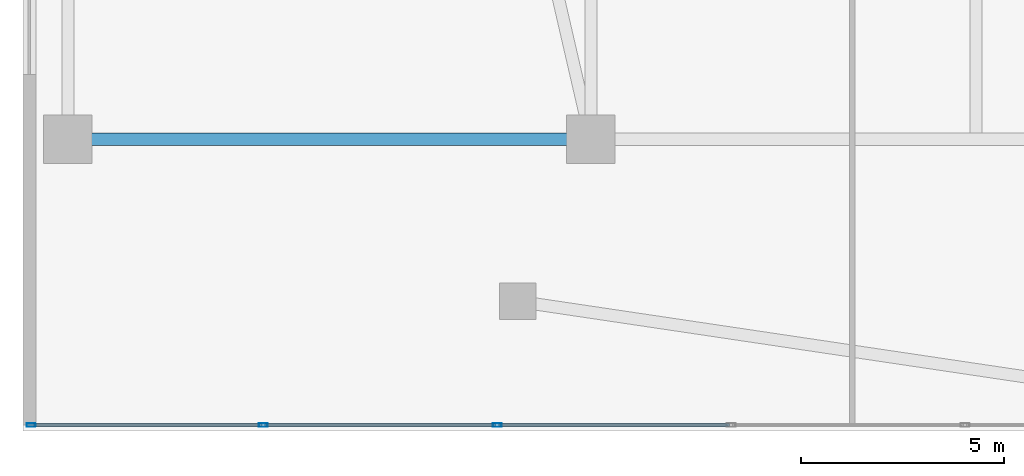
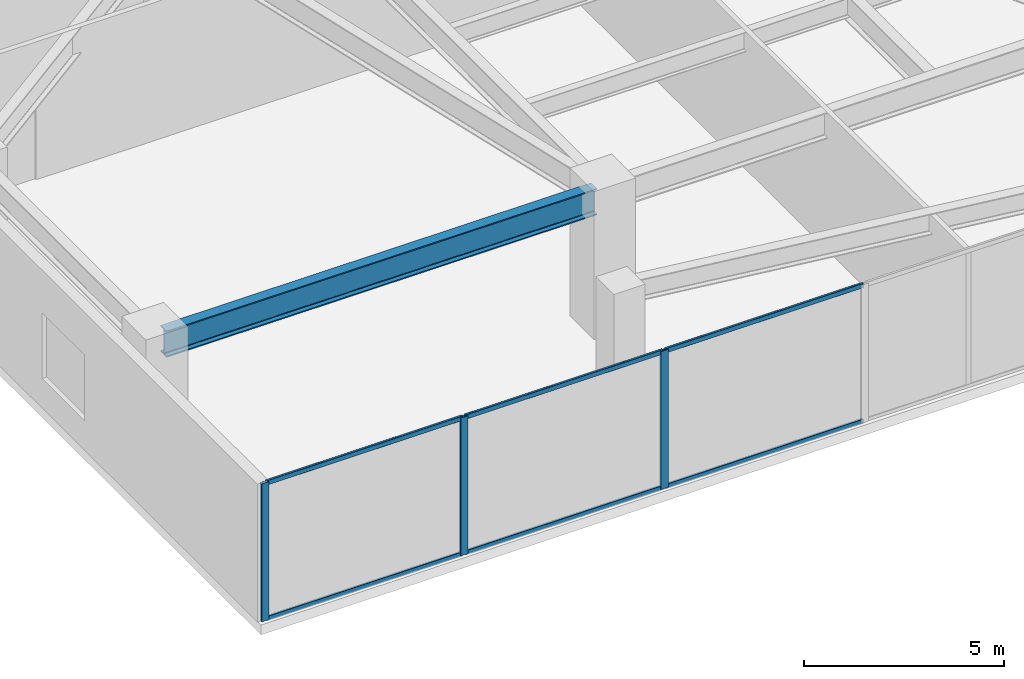
# One storey, part 2 of 27: 9 members, 1 beam, 1 element without a shape of its own.
"""IFC4 building model written with IfcOpenShell, lengths in metres."""

from ifc_helpers import new_model, si_unit, direction, frame, origin, origin_2d, place, context, subcontext, project, spatial, hollow_rectangle, i_section, extrude, material, layer, layer_set, material_profile, profile_set, type_object, element, aggregate, save


model = new_model("IFC4")

# Units and contexts
model_context = context("Model", 3, precision=1e-05, world=origin(), true_north=direction((0.0, 1.0)))
body_context = subcontext(model_context, "Body", "Model", "MODEL_VIEW")
ifc_project = project(units=[si_unit("LENGTHUNIT", "METRE"), si_unit("AREAUNIT", "SQUARE_METRE"), si_unit("VOLUMEUNIT", "CUBIC_METRE"), si_unit("PLANEANGLEUNIT", "RADIAN"), si_unit("MASSUNIT", "GRAM", prefix="KILO")], contexts=[model_context])

# Site, building, storey
site_placement = place(None, origin())
site = spatial("IfcSite", under=ifc_project, at=site_placement, CompositionType="ELEMENT")
building_placement = place(site_placement, origin())
building = spatial("IfcBuilding", under=site, at=building_placement, Name="Tarnavaz Court Tower", CompositionType="ELEMENT")
storey_placement = place(building_placement, frame((0.0, 0.0, 9.89990234375)))
storey = spatial("IfcBuildingStorey", under=building, at=storey_placement, Name="L02", CompositionType="ELEMENT", Elevation=9.89990234375)

# Beam
ifc_material_1 = material(Name="Steel S355", Category="steel")
ifc_material_profile_1 = material_profile(ifc_material_1, i_section(OverallWidth=0.300048828125, OverallDepth=0.800048828125, WebThickness=0.017578125, FlangeThickness=0.032958984375, FilletRadius=0.030029296875, at=origin_2d()), Name="HEB 800")
ifc_profile_set_1 = profile_set([ifc_material_profile_1], Name="Steel S355")
beam_type = type_object("IfcBeamType", Name="BM-G-HEB800", PredefinedType="USERDEFINED", material=ifc_profile_set_1)
beam_placement = place(storey_placement, frame((-27.64990234375, -22.800048828125, 3.800048828125), z_axis=(1.0, 0.0, 0.0), x_axis=(0.0, 1.0, 0.0)))
element("IfcBeam", 1, at=beam_placement, inside=storey, type_object=beam_type, Name="L02 Beam PM-PM-SW-PM-S1", ObjectType="GIRDER", PredefinedType="USERDEFINED", context=body_context, shape_type="SweptSolid", body=[
    extrude(i_section(OverallWidth=0.300048828125, OverallDepth=0.800048828125, WebThickness=0.017578125, FlangeThickness=0.032958984375, FilletRadius=0.030029296875, at=origin_2d()), origin(), (0.0, 0.0, 1.0), 12.39990234375),
])

# Curtain wall, members
ifc_material_2 = material(Name="Anodised Aluminium 6063-T6 and Solar Low-E Glazing", Category="aluminium")
ifc_layer = layer(ifc_material_2, 0.18994140625)
ifc_layer_set = layer_set([ifc_layer], Name="Anodised Aluminium 6063-T6 and Solar Low-E Glazing")
curtain_wall_type = type_object("IfcCurtainWallType", Name="CW-SYS-01", PredefinedType="NOTDEFINED", material=ifc_layer_set)
curtain_wall_placement = place(storey_placement, origin())
curtain_wall = element("IfcCurtainWall", 2, at=curtain_wall_placement, inside=storey, type_object=curtain_wall_type, Name="L02 Clinic South Curtain Wall 3", PredefinedType="NOTDEFINED")
ifc_material_3 = material(Name="Anodised Aluminium 6063-T6", Category="aluminium")
ifc_material_profile_2 = material_profile(ifc_material_3, hollow_rectangle(XDim=0.0849609375, YDim=0.219970703125, WallThickness=0.006103515625, InnerFilletRadius=0.006103515625, OuterFilletRadius=0.011962890625, at=origin_2d()), Name="ALU RHS 220X85X6")
ifc_profile_set_2 = profile_set([ifc_material_profile_2], Name="Anodised Aluminium 6063-T6")
member_type_1 = type_object("IfcMemberType", Name="CW-MUL-220", PredefinedType="MULLION", material=ifc_profile_set_2)
member_1_placement = place(storey_placement, frame((-17.31005859375, -29.85009765625, 0.0), z_axis=(0.0, 0.0, 1.0), x_axis=(0.0, -1.0, 0.0)))
member_1 = element("IfcMember", 3, at=member_1_placement, type_object=member_type_1, Name="CW mullion 9", PredefinedType="MULLION", context=body_context, shape_type="SweptSolid", body=[
    extrude(hollow_rectangle(XDim=0.0849609375, YDim=0.219970703125, WallThickness=0.006103515625, InnerFilletRadius=0.006103515625, OuterFilletRadius=0.011962890625, at=origin_2d()), origin(), (0.0, 0.0, 1.0), 4.2001953125),
])
member_2_placement = place(storey_placement, frame((-23.080078125, -29.85009765625, 0.0), z_axis=(0.0, 0.0, 1.0), x_axis=(0.0, -1.0, 0.0)))
member_2 = element("IfcMember", 4, at=member_2_placement, type_object=member_type_1, Name="CW mullion 10", PredefinedType="MULLION", context=body_context, shape_type="SweptSolid", body=[
    extrude(hollow_rectangle(XDim=0.0849609375, YDim=0.219970703125, WallThickness=0.006103515625, InnerFilletRadius=0.006103515625, OuterFilletRadius=0.011962890625, at=origin_2d()), origin(), (0.0, 0.0, 1.0), 4.2001953125),
])
member_3_placement = place(storey_placement, frame((-28.8076171875, -29.85009765625, 0.0), z_axis=(0.0, 0.0, 1.0), x_axis=(0.0, -1.0, 0.0)))
member_3 = element("IfcMember", 5, at=member_3_placement, type_object=member_type_1, Name="CW mullion 11", PredefinedType="MULLION", context=body_context, shape_type="SweptSolid", body=[
    extrude(hollow_rectangle(XDim=0.0849609375, YDim=0.219970703125, WallThickness=0.006103515625, InnerFilletRadius=0.006103515625, OuterFilletRadius=0.011962890625, at=origin_2d()), origin(), (0.0, 0.0, 1.0), 4.2001953125),
])
ifc_material_profile_3 = material_profile(ifc_material_3, hollow_rectangle(XDim=0.06494140625, YDim=0.139892578125, WallThickness=0.00390625, InnerFilletRadius=0.00390625, OuterFilletRadius=0.008056640625, at=origin_2d()), Name="ALU RHS 140X65X4")
ifc_profile_set_3 = profile_set([ifc_material_profile_3], Name="Anodised Aluminium 6063-T6")
member_type_2 = type_object("IfcMemberType", Name="CW-TRN-140", PredefinedType="USERDEFINED", material=ifc_profile_set_3)
member_4_placement = place(storey_placement, frame((-11.58251953125, -29.85009765625, 0.03271484375), z_axis=(-1.0, 0.0, 0.0), x_axis=(0.0, -1.0, 0.0)))
member_4 = element("IfcMember", 6, at=member_4_placement, type_object=member_type_2, Name="CW transom 8.1", ObjectType="TRANSOM", PredefinedType="USERDEFINED", context=body_context, shape_type="SweptSolid", body=[
    extrude(hollow_rectangle(XDim=0.06494140625, YDim=0.139892578125, WallThickness=0.00390625, InnerFilletRadius=0.00390625, OuterFilletRadius=0.008056640625, at=origin_2d()), origin(), (0.0, 0.0, 1.0), 5.68505859375),
])
member_5_placement = place(storey_placement, frame((-11.58251953125, -29.85009765625, 4.16748046875), z_axis=(-1.0, 0.0, 0.0), x_axis=(0.0, -1.0, 0.0)))
member_5 = element("IfcMember", 7, at=member_5_placement, type_object=member_type_2, Name="CW transom 8.2", ObjectType="TRANSOM", PredefinedType="USERDEFINED", context=body_context, shape_type="SweptSolid", body=[
    extrude(hollow_rectangle(XDim=0.06494140625, YDim=0.139892578125, WallThickness=0.00390625, InnerFilletRadius=0.00390625, OuterFilletRadius=0.008056640625, at=origin_2d()), origin(), (0.0, 0.0, 1.0), 5.68505859375),
])
member_6_placement = place(storey_placement, frame((-17.3525390625, -29.85009765625, 0.03271484375), z_axis=(-1.0, 0.0, 0.0), x_axis=(0.0, -1.0, 0.0)))
member_6 = element("IfcMember", 8, at=member_6_placement, type_object=member_type_2, Name="CW transom 9.1", ObjectType="TRANSOM", PredefinedType="USERDEFINED", context=body_context, shape_type="SweptSolid", body=[
    extrude(hollow_rectangle(XDim=0.06494140625, YDim=0.139892578125, WallThickness=0.00390625, InnerFilletRadius=0.00390625, OuterFilletRadius=0.008056640625, at=origin_2d()), origin(), (0.0, 0.0, 1.0), 5.68505859375),
])
member_7_placement = place(storey_placement, frame((-17.3525390625, -29.85009765625, 4.16748046875), z_axis=(-1.0, 0.0, 0.0), x_axis=(0.0, -1.0, 0.0)))
member_7 = element("IfcMember", 9, at=member_7_placement, type_object=member_type_2, Name="CW transom 9.2", ObjectType="TRANSOM", PredefinedType="USERDEFINED", context=body_context, shape_type="SweptSolid", body=[
    extrude(hollow_rectangle(XDim=0.06494140625, YDim=0.139892578125, WallThickness=0.00390625, InnerFilletRadius=0.00390625, OuterFilletRadius=0.008056640625, at=origin_2d()), origin(), (0.0, 0.0, 1.0), 5.68505859375),
])
member_8_placement = place(storey_placement, frame((-23.12255859375, -29.85009765625, 0.03271484375), z_axis=(-1.0, 0.0, 0.0), x_axis=(0.0, -1.0, 0.0)))
member_8 = element("IfcMember", 10, at=member_8_placement, type_object=member_type_2, Name="CW transom 10.1", ObjectType="TRANSOM", PredefinedType="USERDEFINED", context=body_context, shape_type="SweptSolid", body=[
    extrude(hollow_rectangle(XDim=0.06494140625, YDim=0.139892578125, WallThickness=0.00390625, InnerFilletRadius=0.00390625, OuterFilletRadius=0.008056640625, at=origin_2d()), origin(), (0.0, 0.0, 1.0), 5.642333984375),
])
member_9_placement = place(storey_placement, frame((-23.12255859375, -29.85009765625, 4.16748046875), z_axis=(-1.0, 0.0, 0.0), x_axis=(0.0, -1.0, 0.0)))
member_9 = element("IfcMember", 11, at=member_9_placement, type_object=member_type_2, Name="CW transom 10.2", ObjectType="TRANSOM", PredefinedType="USERDEFINED", context=body_context, shape_type="SweptSolid", body=[
    extrude(hollow_rectangle(XDim=0.06494140625, YDim=0.139892578125, WallThickness=0.00390625, InnerFilletRadius=0.00390625, OuterFilletRadius=0.008056640625, at=origin_2d()), origin(), (0.0, 0.0, 1.0), 5.642333984375),
])
aggregate(curtain_wall, [member_1, member_2, member_3, member_4, member_5, member_6, member_7, member_8, member_9])

save(model, "model.ifc")
